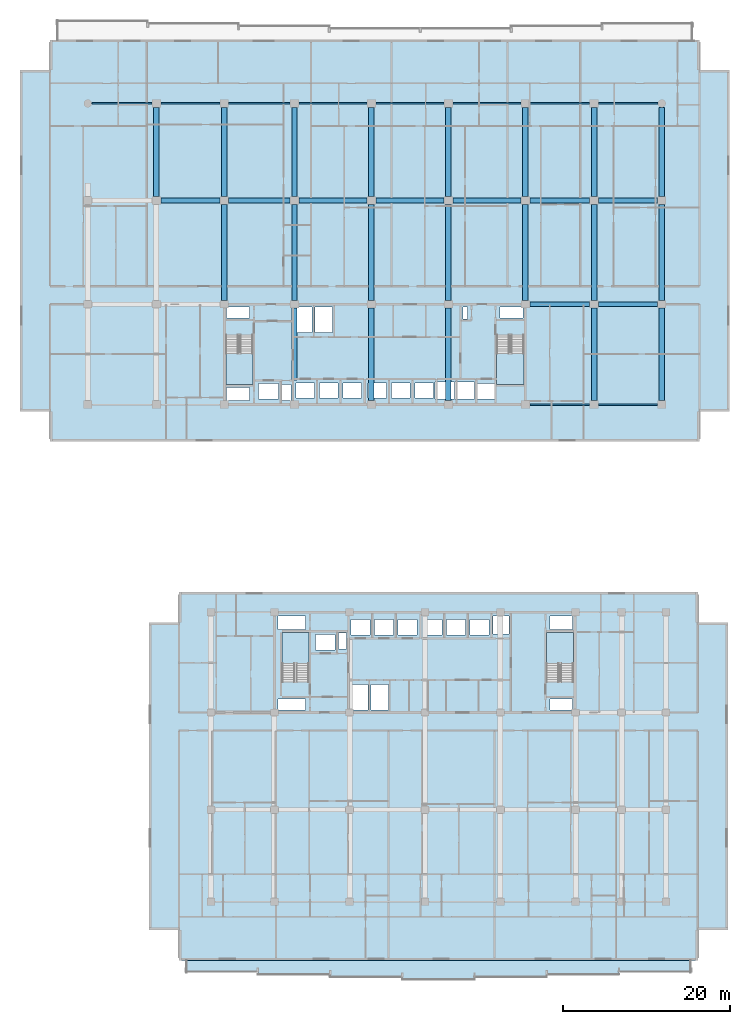
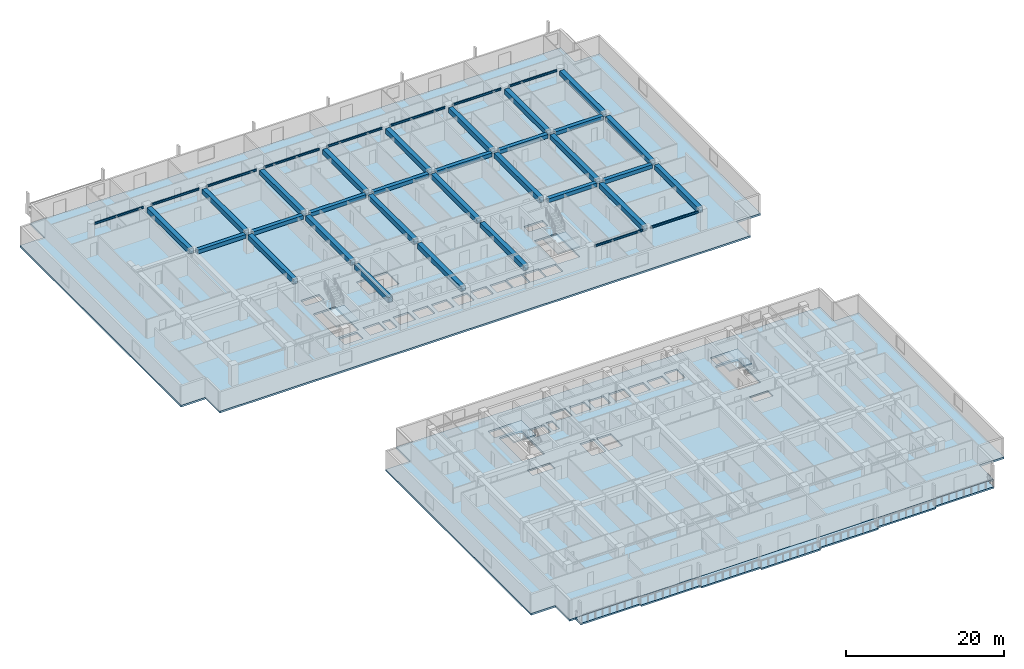
# One storey, part 2 of 24: 39 beams, 7 slabs, 4 elements without a shape of their own.
"""IFC4 building model written with IfcOpenShell, lengths in metres."""

import ifcopenshell
import ifcopenshell.guid

model = None  # the IFC model being written
_history = None  # IfcOwnerHistory: only IFC2X3 demands one
_inside = {}  # id of a spatial element -> (the spatial element, [elements in it])
_under = {}  # id of a project, library or spatial element -> (it, [spatial elements below it])
_declared = {}  # id of a project -> (the project, [libraries it declares])
_typed = {}  # id of a type object -> (the type object, [elements of that type])
_made_of = {}  # id of a material, layer set ... -> (it, [elements and type objects made of it])


def new_model(schema):
    """Start an empty IFC model of exactly this schema.

    Asked for "IFC4X3", IfcOpenShell would pick the latest addendum, in which some entities
    have other attributes; the version numbers below select the first issue.
    IFC2X3 requires an IfcOwnerHistory on every rooted entity: one is made here for all.
    """
    global model, _history
    if schema == "IFC4X3":
        model = ifcopenshell.file(schema_version=(4, 3, 0, 0))
    else:
        model = ifcopenshell.file(schema=schema)
    _inside.clear()
    _under.clear()
    _declared.clear()
    _typed.clear()
    _made_of.clear()
    _history = None
    if model.schema == "IFC2X3":
        org = make("IfcOrganization", Name="unknown")
        user = make(
            "IfcPersonAndOrganization",
            ThePerson=make("IfcPerson", FamilyName="unknown"),
            TheOrganization=org,
        )
        app = make(
            "IfcApplication",
            ApplicationDeveloper=org,
            Version="unknown",
            ApplicationFullName="unknown",
            ApplicationIdentifier="unknown",
        )
        _history = make(
            "IfcOwnerHistory",
            OwningUser=user,
            OwningApplication=app,
            ChangeAction="ADDED",
            CreationDate=0,
        )
    return model


def make(cls, **values):
    """One entity of the class cls with the attributes given. An attribute that is None is left unset."""
    return model.create_entity(
        cls, **{name: value for name, value in values.items() if value is not None}
    )


def rooted(cls, **values):
    """An entity with a GlobalId (a new one), such as an element, a storey or a relation."""
    return make(cls, GlobalId=ifcopenshell.guid.new(), OwnerHistory=_history, **values)


def si_unit(unit_type, name, prefix=None):
    """IfcSIUnit, for example si_unit("LENGTHUNIT", "METRE", prefix="MILLI")."""
    return make("IfcSIUnit", UnitType=unit_type, Prefix=prefix, Name=name)


def assignment(units):
    """IfcUnitAssignment: the units of a project."""
    return None if units is None else make("IfcUnitAssignment", Units=units)


def point(xyz):
    """IfcCartesianPoint."""
    return None if xyz is None else make("IfcCartesianPoint", Coordinates=xyz)


def direction(xyz):
    """IfcDirection."""
    return None if xyz is None else make("IfcDirection", DirectionRatios=xyz)


def frame(location, z_axis=None, x_axis=None):
    """IfcAxis2Placement3D, a coordinate frame: its origin and axes. An axis left out is left unset."""
    return make(
        "IfcAxis2Placement3D",
        Location=point(location),
        Axis=direction(z_axis),
        RefDirection=direction(x_axis),
    )


def frame_2d(location, x_axis=None):
    """IfcAxis2Placement2D, a coordinate frame in the plane: its origin and x axis."""
    return make(
        "IfcAxis2Placement2D", Location=point(location), RefDirection=direction(x_axis)
    )


def origin():
    """The frame at (0, 0, 0) with its axes left unset."""
    return frame((0.0, 0.0, 0.0))


def origin_2d():
    """The frame at (0, 0) in the plane with its x axis left unset."""
    return frame_2d((0.0, 0.0))


def place(relative_to, where):
    """IfcLocalPlacement: puts the frame where relative to a parent placement (None: the world)."""
    return make(
        "IfcLocalPlacement", PlacementRelTo=relative_to, RelativePlacement=where
    )


def context(
    kind, dimensions, precision=None, world=None, true_north=None, identifier=None
):
    """IfcGeometricRepresentationContext, for example the 3D "Model" context."""
    return make(
        "IfcGeometricRepresentationContext",
        ContextIdentifier=identifier,
        ContextType=kind,
        CoordinateSpaceDimension=dimensions,
        Precision=precision,
        WorldCoordinateSystem=world,
        TrueNorth=true_north,
    )


def subcontext(parent, identifier, kind, view, scale=None):
    """IfcGeometricRepresentationSubContext, for example "Body" below "Model"."""
    return make(
        "IfcGeometricRepresentationSubContext",
        ContextIdentifier=identifier,
        ContextType=kind,
        ParentContext=parent,
        TargetScale=scale,
        TargetView=view,
    )


def project(units=None, contexts=None):
    """IfcProject with its units and contexts."""
    return rooted(
        "IfcProject",
        Name="project",
        RepresentationContexts=contexts,
        UnitsInContext=assignment(units),
    )


def spatial(cls, under=None, at=None, **own):
    """A site, building, storey or space (cls), placed at a placement, below another one or the project."""
    s = rooted(cls, ObjectPlacement=at, **own)
    if under is not None:
        _under.setdefault(under.id(), (under, []))[1].append(s)
    return s


def polyline(points):
    """IfcPolyline through the points."""
    return make("IfcPolyline", Points=[point(p) for p in points])


def profile(cls, at=None, kind="AREA", **sizes):
    """A parametric profile (cls). Its sizes go by their IFC names, for example OverallWidth=200.0."""
    return make(cls, ProfileType=kind, Position=at, **sizes)


def rectangle(**sizes):
    """IfcRectangleProfileDef."""
    return profile("IfcRectangleProfileDef", **sizes)


def i_section(**sizes):
    """IfcIShapeProfileDef."""
    return profile("IfcIShapeProfileDef", **sizes)


def outline(outer, holes=None, kind="AREA"):
    """IfcArbitraryClosedProfileDef: a profile drawn as a closed curve; with holes, ...WithVoids."""
    if holes is None:
        return make("IfcArbitraryClosedProfileDef", ProfileType=kind, OuterCurve=outer)
    return make(
        "IfcArbitraryProfileDefWithVoids",
        ProfileType=kind,
        OuterCurve=outer,
        InnerCurves=holes,
    )


def extrude(swept, where, along, depth):
    """IfcExtrudedAreaSolid: the profile swept, set in the frame where, extruded along a direction by depth."""
    return make(
        "IfcExtrudedAreaSolid",
        SweptArea=swept,
        Position=where,
        ExtrudedDirection=direction(along),
        Depth=depth,
    )


def shape(context_of_items, identifier, shape_type, items):
    """IfcShapeRepresentation: the items that make up one representation, for example the "Body"."""
    return make(
        "IfcShapeRepresentation",
        ContextOfItems=context_of_items,
        RepresentationIdentifier=identifier,
        RepresentationType=shape_type,
        Items=items,
    )


def material(Name=None, Category=None):
    """IfcMaterial."""
    return make("IfcMaterial", Name=Name, Category=Category)


def layer(
    of_material, thickness, ventilated=None, Name=None, Category=None, Priority=None
):
    """IfcMaterialLayer: one layer of a wall or slab, of a material (None: an air gap)."""
    return make(
        "IfcMaterialLayer",
        Material=of_material,
        LayerThickness=thickness,
        IsVentilated=ventilated,
        Name=Name,
        Category=Category,
        Priority=Priority,
    )


def layer_set(layers, Name=None):
    """IfcMaterialLayerSet."""
    return make("IfcMaterialLayerSet", MaterialLayers=layers, LayerSetName=Name)


def material_profile(
    of_material, cross_section, Name=None, Category=None, Priority=None
):
    """IfcMaterialProfile: a cross section and its material."""
    return make(
        "IfcMaterialProfile",
        Name=Name,
        Material=of_material,
        Profile=cross_section,
        Priority=Priority,
        Category=Category,
    )


def profile_set(profiles, Name=None, composite=None):
    """IfcMaterialProfileSet."""
    return make(
        "IfcMaterialProfileSet",
        Name=Name,
        MaterialProfiles=profiles,
        CompositeProfile=composite,
    )


def made_of(thing, what):
    """Note that an element or type object is made of a material, layer set ...; save() writes the relation."""
    if what is not None:
        _made_of.setdefault(what.id(), (what, []))[1].append(thing)
    return thing


def type_object(cls, material=None, **own):
    """A type object (cls), such as IfcWallType, which elements share."""
    return made_of(rooted(cls, **own), material)


def element(
    cls,
    number,
    at=None,
    inside=None,
    cuts=None,
    type_object=None,
    material=None,
    context=None,
    identifier="Body",
    shape_type=None,
    held_by="IfcProductDefinitionShape",
    body=None,
    shapes=None,
    **own,
):
    """One element of the class cls, such as IfcWall. Its Tag is "e" and its number.

    at: its placement. inside: the storey or other place that contains it. cuts: it is an
    opening in that element (IfcRelVoidsElement). A single representation is given by context,
    identifier, shape_type and body (its items); several are given by shapes. held_by: the class
    of the entity that holds the representations. save() writes the other relations.
    """
    e = rooted(cls, Tag="e%d" % number, ObjectPlacement=at, **own)
    if body is not None:
        shapes = [shape(context, identifier, shape_type, body)]
    if shapes is not None:
        e.Representation = make(held_by, Representations=shapes)
    if inside is not None:
        _inside.setdefault(inside.id(), (inside, []))[1].append(e)
    if cuts is not None:
        rooted(
            "IfcRelVoidsElement", RelatingBuildingElement=cuts, RelatedOpeningElement=e
        )
    if type_object is not None:
        _typed.setdefault(type_object.id(), (type_object, []))[1].append(e)
    return made_of(e, material)


def aggregate(whole, parts):
    """IfcRelAggregates: a whole, such as a stair, and the parts it consists of."""
    return rooted("IfcRelAggregates", RelatingObject=whole, RelatedObjects=parts)


def save(model, path):
    """Write the relations noted so far, then the file.

    IfcRelAggregates (storeys below a building ...), IfcRelContainedInSpatialStructure (elements
    in a storey), IfcRelDefinesByType, IfcRelAssociatesMaterial and IfcRelDeclares: one each for
    every whole, place, type object, material and project.
    """
    for whole, parts in _under.values():
        aggregate(whole, parts)
    for where, things in _inside.values():
        rooted(
            "IfcRelContainedInSpatialStructure",
            RelatedElements=things,
            RelatingStructure=where,
        )
    for kind, things in _typed.values():
        rooted("IfcRelDefinesByType", RelatedObjects=things, RelatingType=kind)
    for what, things in _made_of.values():
        rooted("IfcRelAssociatesMaterial", RelatedObjects=things, RelatingMaterial=what)
    for by, libraries in _declared.values():
        rooted("IfcRelDeclares", RelatingContext=by, RelatedDefinitions=libraries)
    model.write(path)


model = new_model("IFC4")

# Units and contexts
model_context = context("Model", 3, precision=1e-05, world=origin(), true_north=direction((0.0, 1.0)))
body_context = subcontext(model_context, "Body", "Model", "MODEL_VIEW")
ifc_project = project(units=[si_unit("LENGTHUNIT", "METRE"), si_unit("AREAUNIT", "SQUARE_METRE"), si_unit("VOLUMEUNIT", "CUBIC_METRE"), si_unit("PLANEANGLEUNIT", "RADIAN"), si_unit("MASSUNIT", "GRAM", prefix="KILO")], contexts=[model_context])

# Site, building, storey
site_placement = place(None, origin())
site = spatial("IfcSite", under=ifc_project, at=site_placement, CompositionType="ELEMENT")
building_placement = place(site_placement, origin())
building = spatial("IfcBuilding", under=site, at=building_placement, Name="Korimba Cascade Residences", CompositionType="ELEMENT")
storey_placement = place(building_placement, frame((0.0, 0.0, 66.25)))
storey = spatial("IfcBuildingStorey", under=building, at=storey_placement, Name="L18", CompositionType="ELEMENT", Elevation=66.25)

# Beams
ifc_material_1 = material(Name="Concrete C50/60", Category="concrete")
ifc_material_profile_1 = material_profile(ifc_material_1, rectangle(XDim=0.550048828125, YDim=0.60009765625, at=origin_2d()), Name="Concrete C50/60")
ifc_profile_set_1 = profile_set([ifc_material_profile_1], Name="Concrete C50/60")
beam_type_1 = type_object("IfcBeamType", Name="BM-RC-B600", PredefinedType="BEAM", material=ifc_profile_set_1)
beam_1_placement = place(storey_placement, frame((112.625, 67.199951171875, 2.669921875), z_axis=(1.0, 0.0, 0.0), x_axis=(0.0, 1.0, 0.0)))
element("IfcBeam", 1, at=beam_1_placement, inside=storey, type_object=beam_type_1, Name="L18 T1 E-W Girder Y2 Bay 7", PredefinedType="BEAM", context=body_context, shape_type="SweptSolid", body=[
    extrude(rectangle(XDim=0.550048828125, YDim=0.60009765625, at=origin_2d()), origin(), (0.0, 0.0, 1.0), 7.14990234375),
])
for number, where, z_axis, x_axis, name in (
    (2, (120.824951171875, 67.199951171875, 2.669921875), (1.0, 0.0, 0.0), (0.0, 1.0, 0.0), "L18 T1 E-W Girder Y2 Bay 8"),
    (3, (68.52490234375, 79.60009765625, 2.669921875), (1.0, 0.0, 0.0), (0.0, 1.0, 0.0), "L18 T1 E-W Girder Y3 Bay 2"),
):
    element("IfcBeam", number, at=place(storey_placement, frame(where, z_axis=z_axis, x_axis=x_axis)), inside=storey, type_object=beam_type_1, Name=name, PredefinedType="BEAM", context=body_context, shape_type="SweptSolid", body=[
        extrude(rectangle(XDim=0.550048828125, YDim=0.60009765625, at=origin_2d()), origin(), (0.0, 0.0, 1.0), 7.050048828125),
    ])
beam_2_placement = place(storey_placement, frame((76.625, 79.60009765625, 2.669921875), z_axis=(1.0, 0.0, 0.0), x_axis=(0.0, 1.0, 0.0)))
element("IfcBeam", 4, at=beam_2_placement, inside=storey, type_object=beam_type_1, Name="L18 T1 E-W Girder Y3 Bay 3", PredefinedType="BEAM", context=body_context, shape_type="SweptSolid", body=[
    extrude(rectangle(XDim=0.550048828125, YDim=0.60009765625, at=origin_2d()), origin(), (0.0, 0.0, 1.0), 7.35009765625),
])
beam_3_placement = place(storey_placement, frame((85.02490234375, 79.60009765625, 2.669921875), z_axis=(1.0, 0.0, 0.0), x_axis=(0.0, 1.0, 0.0)))
element("IfcBeam", 5, at=beam_3_placement, inside=storey, type_object=beam_type_1, Name="L18 T1 E-W Girder Y3 Bay 4", PredefinedType="BEAM", context=body_context, shape_type="SweptSolid", body=[
    extrude(rectangle(XDim=0.550048828125, YDim=0.60009765625, at=origin_2d()), origin(), (0.0, 0.0, 1.0), 8.150146484375),
])
for number, where, z_axis, x_axis, name in (
    (6, (94.22509765625, 79.60009765625, 2.669921875), (1.0, 0.0, 0.0), (0.0, 1.0, 0.0), "L18 T1 E-W Girder Y3 Bay 5"),
    (7, (103.425048828125, 79.60009765625, 2.669921875), (1.0, 0.0, 0.0), (0.0, 1.0, 0.0), "L18 T1 E-W Girder Y3 Bay 6"),
):
    element("IfcBeam", number, at=place(storey_placement, frame(where, z_axis=z_axis, x_axis=x_axis)), inside=storey, type_object=beam_type_1, Name=name, PredefinedType="BEAM", context=body_context, shape_type="SweptSolid", body=[
        extrude(rectangle(XDim=0.550048828125, YDim=0.60009765625, at=origin_2d()), origin(), (0.0, 0.0, 1.0), 8.14990234375),
    ])
beam_4_placement = place(storey_placement, frame((112.625, 79.60009765625, 2.669921875), z_axis=(1.0, 0.0, 0.0), x_axis=(0.0, 1.0, 0.0)))
element("IfcBeam", 8, at=beam_4_placement, inside=storey, type_object=beam_type_1, Name="L18 T1 E-W Girder Y3 Bay 7", PredefinedType="BEAM", context=body_context, shape_type="SweptSolid", body=[
    extrude(rectangle(XDim=0.550048828125, YDim=0.60009765625, at=origin_2d()), origin(), (0.0, 0.0, 1.0), 7.14990234375),
])
beam_5_placement = place(storey_placement, frame((120.824951171875, 79.60009765625, 2.669921875), z_axis=(1.0, 0.0, 0.0), x_axis=(0.0, 1.0, 0.0)))
element("IfcBeam", 9, at=beam_5_placement, inside=storey, type_object=beam_type_1, Name="L18 T1 E-W Girder Y3 Bay 8", PredefinedType="BEAM", context=body_context, shape_type="SweptSolid", body=[
    extrude(rectangle(XDim=0.550048828125, YDim=0.60009765625, at=origin_2d()), origin(), (0.0, 0.0, 1.0), 7.050048828125),
])
ifc_material_profile_2 = material_profile(ifc_material_1, rectangle(XDim=0.64990234375, YDim=0.75, at=origin_2d()), Name="Concrete C50/60")
ifc_profile_set_2 = profile_set([ifc_material_profile_2], Name="Concrete C50/60")
beam_type_2 = type_object("IfcBeamType", Name="BM-RC-G750", PredefinedType="BEAM", material=ifc_profile_set_2)
beam_6_placement = place(storey_placement, frame((68.0, 80.074951171875, 2.594970703125), z_axis=(0.0, 1.0, 0.0), x_axis=(-1.0, 0.0, 0.0)))
element("IfcBeam", 10, at=beam_6_placement, inside=storey, type_object=beam_type_2, Name="L18 T1 N-S Girder X2 Seg 3", PredefinedType="BEAM", context=body_context, shape_type="SweptSolid", body=[
    extrude(rectangle(XDim=0.64990234375, YDim=0.75, at=origin_2d()), origin(), (0.0, 0.0, 1.0), 10.650146484375),
])
beam_7_placement = place(storey_placement, frame((76.10009765625, 67.675048828125, 2.594970703125), z_axis=(0.0, 1.0, 0.0), x_axis=(-1.0, 0.0, 0.0)))
element("IfcBeam", 11, at=beam_7_placement, inside=storey, type_object=beam_type_2, Name="L18 T1 N-S Girder X3 Seg 2", PredefinedType="BEAM", context=body_context, shape_type="SweptSolid", body=[
    extrude(rectangle(XDim=0.64990234375, YDim=0.75, at=origin_2d()), origin(), (0.0, 0.0, 1.0), 11.449951171875),
])
beam_8_placement = place(storey_placement, frame((76.10009765625, 80.074951171875, 2.594970703125), z_axis=(0.0, 1.0, 0.0), x_axis=(-1.0, 0.0, 0.0)))
element("IfcBeam", 12, at=beam_8_placement, inside=storey, type_object=beam_type_2, Name="L18 T1 N-S Girder X3 Seg 3", PredefinedType="BEAM", context=body_context, shape_type="SweptSolid", body=[
    extrude(rectangle(XDim=0.64990234375, YDim=0.75, at=origin_2d()), origin(), (0.0, 0.0, 1.0), 10.650146484375),
])
beam_9_placement = place(storey_placement, frame((84.5, 58.159912109375, 2.594970703125), z_axis=(0.0, 1.0, 0.0), x_axis=(-1.0, 0.0, 0.0)))
element("IfcBeam", 13, at=beam_9_placement, inside=storey, type_object=beam_type_2, Name="L18 T1 N-S Girder X4 Seg 1", PredefinedType="BEAM", context=body_context, shape_type="SweptSolid", body=[
    extrude(rectangle(XDim=0.64990234375, YDim=0.75, at=origin_2d()), origin(), (0.0, 0.0, 1.0), 8.565185546875),
])
beam_10_placement = place(storey_placement, frame((84.5, 67.675048828125, 2.594970703125), z_axis=(0.0, 1.0, 0.0), x_axis=(-1.0, 0.0, 0.0)))
element("IfcBeam", 14, at=beam_10_placement, inside=storey, type_object=beam_type_2, Name="L18 T1 N-S Girder X4 Seg 2", PredefinedType="BEAM", context=body_context, shape_type="SweptSolid", body=[
    extrude(rectangle(XDim=0.64990234375, YDim=0.75, at=origin_2d()), origin(), (0.0, 0.0, 1.0), 11.449951171875),
])
beam_11_placement = place(storey_placement, frame((84.5, 80.074951171875, 2.594970703125), z_axis=(0.0, 1.0, 0.0), x_axis=(-1.0, 0.0, 0.0)))
element("IfcBeam", 15, at=beam_11_placement, inside=storey, type_object=beam_type_2, Name="L18 T1 N-S Girder X4 Seg 3", PredefinedType="BEAM", context=body_context, shape_type="SweptSolid", body=[
    extrude(rectangle(XDim=0.64990234375, YDim=0.75, at=origin_2d()), origin(), (0.0, 0.0, 1.0), 10.650146484375),
])
beam_12_placement = place(storey_placement, frame((93.699951171875, 55.675048828125, 2.594970703125), z_axis=(0.0, 1.0, 0.0), x_axis=(-1.0, 0.0, 0.0)))
element("IfcBeam", 16, at=beam_12_placement, inside=storey, type_object=beam_type_2, Name="L18 T1 N-S Girder X5 Seg 1", PredefinedType="BEAM", context=body_context, shape_type="SweptSolid", body=[
    extrude(rectangle(XDim=0.64990234375, YDim=0.75, at=origin_2d()), origin(), (0.0, 0.0, 1.0), 11.050048828125),
])
beam_13_placement = place(storey_placement, frame((93.699951171875, 67.675048828125, 2.594970703125), z_axis=(0.0, 1.0, 0.0), x_axis=(-1.0, 0.0, 0.0)))
element("IfcBeam", 17, at=beam_13_placement, inside=storey, type_object=beam_type_2, Name="L18 T1 N-S Girder X5 Seg 2", PredefinedType="BEAM", context=body_context, shape_type="SweptSolid", body=[
    extrude(rectangle(XDim=0.64990234375, YDim=0.75, at=origin_2d()), origin(), (0.0, 0.0, 1.0), 11.449951171875),
])
beam_14_placement = place(storey_placement, frame((93.699951171875, 80.074951171875, 2.594970703125), z_axis=(0.0, 1.0, 0.0), x_axis=(-1.0, 0.0, 0.0)))
element("IfcBeam", 18, at=beam_14_placement, inside=storey, type_object=beam_type_2, Name="L18 T1 N-S Girder X5 Seg 3", PredefinedType="BEAM", context=body_context, shape_type="SweptSolid", body=[
    extrude(rectangle(XDim=0.64990234375, YDim=0.75, at=origin_2d()), origin(), (0.0, 0.0, 1.0), 10.650146484375),
])
beam_15_placement = place(storey_placement, frame((102.89990234375, 55.675048828125, 2.594970703125), z_axis=(0.0, 1.0, 0.0), x_axis=(-1.0, 0.0, 0.0)))
element("IfcBeam", 19, at=beam_15_placement, inside=storey, type_object=beam_type_2, Name="L18 T1 N-S Girder X6 Seg 1", PredefinedType="BEAM", context=body_context, shape_type="SweptSolid", body=[
    extrude(rectangle(XDim=0.64990234375, YDim=0.75, at=origin_2d()), origin(), (0.0, 0.0, 1.0), 11.050048828125),
])
beam_16_placement = place(storey_placement, frame((102.89990234375, 67.675048828125, 2.594970703125), z_axis=(0.0, 1.0, 0.0), x_axis=(-1.0, 0.0, 0.0)))
element("IfcBeam", 20, at=beam_16_placement, inside=storey, type_object=beam_type_2, Name="L18 T1 N-S Girder X6 Seg 2", PredefinedType="BEAM", context=body_context, shape_type="SweptSolid", body=[
    extrude(rectangle(XDim=0.64990234375, YDim=0.75, at=origin_2d()), origin(), (0.0, 0.0, 1.0), 11.449951171875),
])
beam_17_placement = place(storey_placement, frame((102.89990234375, 80.074951171875, 2.594970703125), z_axis=(0.0, 1.0, 0.0), x_axis=(-1.0, 0.0, 0.0)))
element("IfcBeam", 21, at=beam_17_placement, inside=storey, type_object=beam_type_2, Name="L18 T1 N-S Girder X6 Seg 3", PredefinedType="BEAM", context=body_context, shape_type="SweptSolid", body=[
    extrude(rectangle(XDim=0.64990234375, YDim=0.75, at=origin_2d()), origin(), (0.0, 0.0, 1.0), 10.650146484375),
])
beam_18_placement = place(storey_placement, frame((112.10009765625, 67.675048828125, 2.594970703125), z_axis=(0.0, 1.0, 0.0), x_axis=(-1.0, 0.0, 0.0)))
element("IfcBeam", 22, at=beam_18_placement, inside=storey, type_object=beam_type_2, Name="L18 T1 N-S Girder X7 Seg 2", PredefinedType="BEAM", context=body_context, shape_type="SweptSolid", body=[
    extrude(rectangle(XDim=0.64990234375, YDim=0.75, at=origin_2d()), origin(), (0.0, 0.0, 1.0), 11.449951171875),
])
beam_19_placement = place(storey_placement, frame((112.10009765625, 80.074951171875, 2.594970703125), z_axis=(0.0, 1.0, 0.0), x_axis=(-1.0, 0.0, 0.0)))
element("IfcBeam", 23, at=beam_19_placement, inside=storey, type_object=beam_type_2, Name="L18 T1 N-S Girder X7 Seg 3", PredefinedType="BEAM", context=body_context, shape_type="SweptSolid", body=[
    extrude(rectangle(XDim=0.64990234375, YDim=0.75, at=origin_2d()), origin(), (0.0, 0.0, 1.0), 10.650146484375),
])
beam_20_placement = place(storey_placement, frame((120.300048828125, 55.675048828125, 2.594970703125), z_axis=(0.0, 1.0, 0.0), x_axis=(-1.0, 0.0, 0.0)))
element("IfcBeam", 24, at=beam_20_placement, inside=storey, type_object=beam_type_2, Name="L18 T1 N-S Girder X8 Seg 1", PredefinedType="BEAM", context=body_context, shape_type="SweptSolid", body=[
    extrude(rectangle(XDim=0.64990234375, YDim=0.75, at=origin_2d()), origin(), (0.0, 0.0, 1.0), 11.050048828125),
])
beam_21_placement = place(storey_placement, frame((120.300048828125, 67.675048828125, 2.594970703125), z_axis=(0.0, 1.0, 0.0), x_axis=(-1.0, 0.0, 0.0)))
element("IfcBeam", 25, at=beam_21_placement, inside=storey, type_object=beam_type_2, Name="L18 T1 N-S Girder X8 Seg 2", PredefinedType="BEAM", context=body_context, shape_type="SweptSolid", body=[
    extrude(rectangle(XDim=0.64990234375, YDim=0.75, at=origin_2d()), origin(), (0.0, 0.0, 1.0), 11.449951171875),
])
beam_22_placement = place(storey_placement, frame((120.300048828125, 80.074951171875, 2.594970703125), z_axis=(0.0, 1.0, 0.0), x_axis=(-1.0, 0.0, 0.0)))
element("IfcBeam", 26, at=beam_22_placement, inside=storey, type_object=beam_type_2, Name="L18 T1 N-S Girder X8 Seg 3", PredefinedType="BEAM", context=body_context, shape_type="SweptSolid", body=[
    extrude(rectangle(XDim=0.64990234375, YDim=0.75, at=origin_2d()), origin(), (0.0, 0.0, 1.0), 10.650146484375),
])
beam_23_placement = place(storey_placement, frame((128.39990234375, 55.675048828125, 2.594970703125), z_axis=(0.0, 1.0, 0.0), x_axis=(-1.0, 0.0, 0.0)))
element("IfcBeam", 27, at=beam_23_placement, inside=storey, type_object=beam_type_2, Name="L18 T1 N-S Girder X9 Seg 1", PredefinedType="BEAM", context=body_context, shape_type="SweptSolid", body=[
    extrude(rectangle(XDim=0.64990234375, YDim=0.75, at=origin_2d()), origin(), (0.0, 0.0, 1.0), 11.050048828125),
])
beam_24_placement = place(storey_placement, frame((128.39990234375, 67.675048828125, 2.594970703125), z_axis=(0.0, 1.0, 0.0), x_axis=(-1.0, 0.0, 0.0)))
element("IfcBeam", 28, at=beam_24_placement, inside=storey, type_object=beam_type_2, Name="L18 T1 N-S Girder X9 Seg 2", PredefinedType="BEAM", context=body_context, shape_type="SweptSolid", body=[
    extrude(rectangle(XDim=0.64990234375, YDim=0.75, at=origin_2d()), origin(), (0.0, 0.0, 1.0), 11.449951171875),
])
beam_25_placement = place(storey_placement, frame((128.39990234375, 80.074951171875, 2.594970703125), z_axis=(0.0, 1.0, 0.0), x_axis=(-1.0, 0.0, 0.0)))
element("IfcBeam", 29, at=beam_25_placement, inside=storey, type_object=beam_type_2, Name="L18 T1 N-S Girder X9 Seg 3", PredefinedType="BEAM", context=body_context, shape_type="SweptSolid", body=[
    extrude(rectangle(XDim=0.64990234375, YDim=0.75, at=origin_2d()), origin(), (0.0, 0.0, 1.0), 10.650146484375),
])
ifc_material_2 = material(Name="Steel S355", Category="steel")
ifc_material_profile_3 = material_profile(ifc_material_2, i_section(OverallWidth=0.165771484375, OverallDepth=0.306640625, WebThickness=0.006591796875, FlangeThickness=0.01171875, FilletRadius=0.0087890625, at=origin_2d()), Name="Steel S355")
ifc_profile_set_3 = profile_set([ifc_material_profile_3], Name="Steel S355")
beam_type_3 = type_object("IfcBeamType", Name="BM-STL-UB305", PredefinedType="SPANDREL", material=ifc_profile_set_3)
beam_26_placement = place(storey_placement, frame((112.625, 55.199951171875, 2.816650390625), z_axis=(1.0, 0.0, 0.0), x_axis=(0.0, 1.0, 0.0)))
element("IfcBeam", 30, at=beam_26_placement, inside=storey, type_object=beam_type_3, Name="L18 T1 E-W Girder Y1 Bay 7", PredefinedType="SPANDREL", context=body_context, shape_type="SweptSolid", body=[
    extrude(i_section(OverallWidth=0.165771484375, OverallDepth=0.306640625, WebThickness=0.006591796875, FlangeThickness=0.01171875, FilletRadius=0.0087890625, at=origin_2d()), origin(), (0.0, 0.0, 1.0), 7.14990234375),
])
beam_27_placement = place(storey_placement, frame((120.824951171875, 55.199951171875, 2.816650390625), z_axis=(1.0, 0.0, 0.0), x_axis=(0.0, 1.0, 0.0)))
element("IfcBeam", 31, at=beam_27_placement, inside=storey, type_object=beam_type_3, Name="L18 T1 E-W Girder Y1 Bay 8", PredefinedType="SPANDREL", context=body_context, shape_type="SweptSolid", body=[
    extrude(i_section(OverallWidth=0.165771484375, OverallDepth=0.306640625, WebThickness=0.006591796875, FlangeThickness=0.01171875, FilletRadius=0.0087890625, at=origin_2d()), origin(), (0.0, 0.0, 1.0), 7.050048828125),
])
beam_28_placement = place(storey_placement, frame((60.27490234375, 91.199951171875, 2.816650390625), z_axis=(1.0, 0.0, 0.0), x_axis=(0.0, 1.0, 0.0)))
element("IfcBeam", 32, at=beam_28_placement, inside=storey, type_object=beam_type_3, Name="L18 T1 E-W Girder Y4 Bay 1", PredefinedType="SPANDREL", context=body_context, shape_type="SweptSolid", body=[
    extrude(i_section(OverallWidth=0.165771484375, OverallDepth=0.306640625, WebThickness=0.006591796875, FlangeThickness=0.01171875, FilletRadius=0.0087890625, at=origin_2d()), origin(), (0.0, 0.0, 1.0), 7.2001953125),
])
beam_29_placement = place(storey_placement, frame((68.52490234375, 91.199951171875, 2.816650390625), z_axis=(1.0, 0.0, 0.0), x_axis=(0.0, 1.0, 0.0)))
element("IfcBeam", 33, at=beam_29_placement, inside=storey, type_object=beam_type_3, Name="L18 T1 E-W Girder Y4 Bay 2", PredefinedType="SPANDREL", context=body_context, shape_type="SweptSolid", body=[
    extrude(i_section(OverallWidth=0.165771484375, OverallDepth=0.306640625, WebThickness=0.006591796875, FlangeThickness=0.01171875, FilletRadius=0.0087890625, at=origin_2d()), origin(), (0.0, 0.0, 1.0), 7.050048828125),
])
beam_30_placement = place(storey_placement, frame((76.625, 91.199951171875, 2.816650390625), z_axis=(1.0, 0.0, 0.0), x_axis=(0.0, 1.0, 0.0)))
element("IfcBeam", 34, at=beam_30_placement, inside=storey, type_object=beam_type_3, Name="L18 T1 E-W Girder Y4 Bay 3", PredefinedType="SPANDREL", context=body_context, shape_type="SweptSolid", body=[
    extrude(i_section(OverallWidth=0.165771484375, OverallDepth=0.306640625, WebThickness=0.006591796875, FlangeThickness=0.01171875, FilletRadius=0.0087890625, at=origin_2d()), origin(), (0.0, 0.0, 1.0), 7.35009765625),
])
beam_31_placement = place(storey_placement, frame((85.02490234375, 91.199951171875, 2.816650390625), z_axis=(1.0, 0.0, 0.0), x_axis=(0.0, 1.0, 0.0)))
element("IfcBeam", 35, at=beam_31_placement, inside=storey, type_object=beam_type_3, Name="L18 T1 E-W Girder Y4 Bay 4", PredefinedType="SPANDREL", context=body_context, shape_type="SweptSolid", body=[
    extrude(i_section(OverallWidth=0.165771484375, OverallDepth=0.306640625, WebThickness=0.006591796875, FlangeThickness=0.01171875, FilletRadius=0.0087890625, at=origin_2d()), origin(), (0.0, 0.0, 1.0), 8.150146484375),
])
for number, where, z_axis, x_axis, name in (
    (36, (94.22509765625, 91.199951171875, 2.816650390625), (1.0, 0.0, 0.0), (0.0, 1.0, 0.0), "L18 T1 E-W Girder Y4 Bay 5"),
    (37, (103.425048828125, 91.199951171875, 2.816650390625), (1.0, 0.0, 0.0), (0.0, 1.0, 0.0), "L18 T1 E-W Girder Y4 Bay 6"),
):
    element("IfcBeam", number, at=place(storey_placement, frame(where, z_axis=z_axis, x_axis=x_axis)), inside=storey, type_object=beam_type_3, Name=name, PredefinedType="SPANDREL", context=body_context, shape_type="SweptSolid", body=[
        extrude(i_section(OverallWidth=0.165771484375, OverallDepth=0.306640625, WebThickness=0.006591796875, FlangeThickness=0.01171875, FilletRadius=0.0087890625, at=origin_2d()), origin(), (0.0, 0.0, 1.0), 8.14990234375),
    ])
beam_32_placement = place(storey_placement, frame((112.625, 91.199951171875, 2.816650390625), z_axis=(1.0, 0.0, 0.0), x_axis=(0.0, 1.0, 0.0)))
element("IfcBeam", 38, at=beam_32_placement, inside=storey, type_object=beam_type_3, Name="L18 T1 E-W Girder Y4 Bay 7", PredefinedType="SPANDREL", context=body_context, shape_type="SweptSolid", body=[
    extrude(i_section(OverallWidth=0.165771484375, OverallDepth=0.306640625, WebThickness=0.006591796875, FlangeThickness=0.01171875, FilletRadius=0.0087890625, at=origin_2d()), origin(), (0.0, 0.0, 1.0), 7.14990234375),
])
beam_33_placement = place(storey_placement, frame((120.824951171875, 91.199951171875, 2.816650390625), z_axis=(1.0, 0.0, 0.0), x_axis=(0.0, 1.0, 0.0)))
element("IfcBeam", 39, at=beam_33_placement, inside=storey, type_object=beam_type_3, Name="L18 T1 E-W Girder Y4 Bay 8", PredefinedType="SPANDREL", context=body_context, shape_type="SweptSolid", body=[
    extrude(i_section(OverallWidth=0.165771484375, OverallDepth=0.306640625, WebThickness=0.006591796875, FlangeThickness=0.01171875, FilletRadius=0.0087890625, at=origin_2d()), origin(), (0.0, 0.0, 1.0), 7.10009765625),
])

# Stair, slab
stair_type_1 = type_object("IfcStairType", Name="STR-W1-18R-1806", PredefinedType="HALF_TURN_STAIR", material=ifc_material_1)
stair_1_placement = place(storey_placement, origin())
stair_1 = element("IfcStair", 40, at=stair_1_placement, inside=storey, type_object=stair_type_1, Name="L18 Tower 1 West Fire Stair ST-W1", PredefinedType="HALF_TURN_STAIR")
ifc_layer_1 = layer(ifc_material_1, 0.199951171875)
ifc_layer_set_1 = layer_set([ifc_layer_1], Name="Concrete C50/60")
slab_type_1 = type_object("IfcSlabType", Name="SLB-LND-220", PredefinedType="LANDING", material=ifc_layer_set_1)
slab_1_placement = place(storey_placement, frame((0.0, 0.0, 1.425048828125)))
slab_1 = element("IfcSlab", 41, at=slab_1_placement, type_object=slab_type_1, Name="ST-W1 landing 1", PredefinedType="LANDING", context=body_context, shape_type="SweptSolid", body=[
    extrude(outline(polyline([(76.300048828125, 61.31005859375), (76.300048828125, 57.60009765625), (79.5400390625, 57.60009765625), (79.5400390625, 61.31005859375), (76.300048828125, 61.31005859375)])), origin(), (0.0, 0.0, 1.0), 0.199951171875),
])
aggregate(stair_1, [slab_1])

stair_type_2 = type_object("IfcStairType", Name="STR-W2-18R-1806", PredefinedType="HALF_TURN_STAIR", material=ifc_material_1)
stair_2_placement = place(storey_placement, origin())
stair_2 = element("IfcStair", 42, at=stair_2_placement, inside=storey, type_object=stair_type_2, Name="L18 Tower 1 East Fire Stair ST-W2", PredefinedType="HALF_TURN_STAIR")
slab_2_placement = place(storey_placement, frame((0.0, 0.0, 1.425048828125)))
slab_2 = element("IfcSlab", 43, at=slab_2_placement, type_object=slab_type_1, Name="ST-W2 landing 1", PredefinedType="LANDING", context=body_context, shape_type="SweptSolid", body=[
    extrude(outline(polyline([(108.659912109375, 61.31005859375), (108.659912109375, 57.60009765625), (111.89990234375, 57.60009765625), (111.89990234375, 61.31005859375), (108.659912109375, 61.31005859375)])), origin(), (0.0, 0.0, 1.0), 0.199951171875),
])
aggregate(stair_2, [slab_2])

stair_type_3 = type_object("IfcStairType", Name="STR-E1-18R-1806", PredefinedType="HALF_TURN_STAIR", material=ifc_material_1)
stair_3_placement = place(storey_placement, origin())
stair_3 = element("IfcStair", 44, at=stair_3_placement, inside=storey, type_object=stair_type_3, Name="L18 Tower 2 West Fire Stair ST-E1", PredefinedType="HALF_TURN_STAIR")
slab_3_placement = place(storey_placement, frame((0.0, 0.0, 1.425048828125)))
slab_3 = element("IfcSlab", 45, at=slab_3_placement, type_object=slab_type_1, Name="ST-E1 landing 1", PredefinedType="LANDING", context=body_context, shape_type="SweptSolid", body=[
    extrude(outline(polyline([(86.239990234375, 24.2900390625), (86.239990234375, 28.0), (83.0, 28.0), (83.0, 24.2900390625), (86.239990234375, 24.2900390625)])), origin(), (0.0, 0.0, 1.0), 0.199951171875),
])
aggregate(stair_3, [slab_3])

stair_type_4 = type_object("IfcStairType", Name="STR-E2-18R-1806", PredefinedType="HALF_TURN_STAIR", material=ifc_material_1)
stair_4_placement = place(storey_placement, origin())
stair_4 = element("IfcStair", 46, at=stair_4_placement, inside=storey, type_object=stair_type_4, Name="L18 Tower 2 East Fire Stair ST-E2", PredefinedType="HALF_TURN_STAIR")
slab_4_placement = place(storey_placement, frame((0.0, 0.0, 1.425048828125)))
slab_4 = element("IfcSlab", 47, at=slab_4_placement, type_object=slab_type_1, Name="ST-E2 landing 1", PredefinedType="LANDING", context=body_context, shape_type="SweptSolid", body=[
    extrude(outline(polyline([(117.840087890625, 24.2900390625), (117.840087890625, 28.0), (114.60009765625, 28.0), (114.60009765625, 24.2900390625), (117.840087890625, 24.2900390625)])), origin(), (0.0, 0.0, 1.0), 0.199951171875),
])
aggregate(stair_4, [slab_4])

# Slabs
ifc_material_3 = material(Name="Precast concrete C40/50", Category="concrete")
ifc_layer_2 = layer(ifc_material_3, 0.239990234375)
ifc_layer_set_2 = layer_set([ifc_layer_2], Name="Precast concrete C40/50")
slab_type_2 = type_object("IfcSlabType", Name="SLB-LOG-240", PredefinedType="FLOOR", material=ifc_layer_set_2)
slab_5_placement = place(storey_placement, frame((0.0, 0.0, -0.239990234375)))
element("IfcSlab", 48, at=slab_5_placement, inside=storey, type_object=slab_type_2, Name="L18 Tower 2 South Loggia Slab", PredefinedType="FLOOR", context=body_context, shape_type="SweptSolid", body=[
    extrude(outline(polyline([(71.5, -12.64990234375), (80.128662109375, -12.64990234375), (80.128662109375, -12.949951171875), (88.757080078125, -12.949951171875), (88.757080078125, -13.25), (97.3857421875, -13.25), (97.3857421875, -13.550048828125), (106.014404296875, -13.550048828125), (106.014404296875, -13.25), (114.642822265625, -13.25), (114.642822265625, -12.949951171875), (123.271484375, -12.949951171875), (123.271484375, -12.64990234375), (131.89990234375, -12.64990234375), (131.89990234375, -11.199951171875), (71.5, -11.199951171875), (71.5, -12.64990234375)])), origin(), (0.0, 0.0, 1.0), 0.239990234375),
])
ifc_layer_3 = layer(ifc_material_1, 0.280029296875)
ifc_layer_set_3 = layer_set([ifc_layer_3], Name="Concrete C50/60")
slab_type_3 = type_object("IfcSlabType", Name="SLB-TYP-280", PredefinedType="FLOOR", material=ifc_layer_set_3)
slab_6_placement = place(storey_placement, frame((0.0, 0.0, -0.280029296875)))
element("IfcSlab", 49, at=slab_6_placement, inside=storey, type_object=slab_type_3, Name="L18 Tower 1 Floor Slab", PredefinedType="FLOOR", context=body_context, shape_type="SweptSolid", body=[
    extrude(outline(polyline([(55.300048828125, 50.800048828125), (132.89990234375, 50.800048828125), (132.89990234375, 54.39990234375), (136.5, 54.39990234375), (136.5, 95.199951171875), (132.89990234375, 95.199951171875), (132.89990234375, 98.800048828125), (55.300048828125, 98.800048828125), (55.300048828125, 95.199951171875), (51.699951171875, 95.199951171875), (51.699951171875, 54.39990234375), (55.300048828125, 54.39990234375), (55.300048828125, 50.800048828125)]), holes=[polyline([(76.300048828125, 63.514892578125), (76.300048828125, 57.60009765625), (79.5400390625, 57.60009765625), (79.5400390625, 63.514892578125), (76.300048828125, 63.514892578125)]), polyline([(108.659912109375, 63.514892578125), (108.659912109375, 57.60009765625), (111.89990234375, 57.60009765625), (111.89990234375, 63.514892578125), (108.659912109375, 63.514892578125)]), polyline([(80.22998046875, 55.8798828125), (82.570068359375, 55.8798828125), (82.570068359375, 57.719970703125), (80.22998046875, 57.719970703125), (80.22998046875, 55.8798828125)]), polyline([(106.080078125, 55.8798828125), (108.419921875, 55.8798828125), (108.419921875, 57.719970703125), (106.080078125, 57.719970703125), (106.080078125, 55.8798828125)]), polyline([(84.679931640625, 55.97998046875), (86.919921875, 55.97998046875), (86.919921875, 57.820068359375), (84.679931640625, 57.820068359375), (84.679931640625, 55.97998046875)]), polyline([(87.47998046875, 55.97998046875), (89.719970703125, 55.97998046875), (89.719970703125, 57.820068359375), (87.47998046875, 57.820068359375), (87.47998046875, 55.97998046875)]), polyline([(90.280029296875, 55.97998046875), (92.52001953125, 55.97998046875), (92.52001953125, 57.820068359375), (90.280029296875, 57.820068359375), (90.280029296875, 55.97998046875)]), polyline([(93.280029296875, 55.97998046875), (95.52001953125, 55.97998046875), (95.52001953125, 57.820068359375), (93.280029296875, 57.820068359375), (93.280029296875, 55.97998046875)]), polyline([(96.080078125, 55.97998046875), (98.320068359375, 55.97998046875), (98.320068359375, 57.820068359375), (96.080078125, 57.820068359375), (96.080078125, 55.97998046875)]), polyline([(98.8798828125, 55.97998046875), (101.1201171875, 55.97998046875), (101.1201171875, 57.820068359375), (98.8798828125, 57.820068359375), (98.8798828125, 55.97998046875)]), polyline([(101.304931640625, 55.8798828125), (103.594970703125, 55.8798828125), (103.594970703125, 57.919921875), (101.304931640625, 57.919921875), (101.304931640625, 55.8798828125)]), polyline([(103.705078125, 55.8798828125), (105.9951171875, 55.8798828125), (105.9951171875, 57.919921875), (103.705078125, 57.919921875), (103.705078125, 55.8798828125)]), polyline([(82.97998046875, 55.679931640625), (84.080078125, 55.679931640625), (84.080078125, 57.6201171875), (82.97998046875, 57.6201171875), (82.97998046875, 55.679931640625)]), polyline([(76.39990234375, 65.56005859375), (79.10009765625, 65.56005859375), (79.10009765625, 66.8798828125), (76.39990234375, 66.8798828125), (76.39990234375, 65.56005859375)]), polyline([(76.39990234375, 55.679931640625), (79.10009765625, 55.679931640625), (79.10009765625, 57.239990234375), (76.39990234375, 57.239990234375), (76.39990234375, 55.679931640625)]), polyline([(84.530029296875, 63.820068359375), (86.6201171875, 63.820068359375), (86.6201171875, 66.8798828125), (84.530029296875, 66.8798828125), (84.530029296875, 63.820068359375)]), polyline([(86.97998046875, 63.820068359375), (89.070068359375, 63.820068359375), (89.070068359375, 66.8798828125), (86.97998046875, 66.8798828125), (86.97998046875, 63.820068359375)]), polyline([(104.6201171875, 65.4599609375), (105.179931640625, 65.4599609375), (105.179931640625, 66.8798828125), (104.6201171875, 66.8798828125), (104.6201171875, 65.4599609375)]), polyline([(109.080078125, 65.56005859375), (111.800048828125, 65.56005859375), (111.800048828125, 66.8798828125), (109.080078125, 66.8798828125), (109.080078125, 65.56005859375)])]), origin(), (0.0, 0.0, 1.0), 0.280029296875),
])
slab_7_placement = place(storey_placement, frame((0.0, 0.0, -0.280029296875)))
element("IfcSlab", 50, at=slab_7_placement, inside=storey, type_object=slab_type_3, Name="L18 Tower 2 Floor Slab", PredefinedType="FLOOR", context=body_context, shape_type="SweptSolid", body=[
    extrude(outline(polyline([(70.699951171875, -11.199951171875), (132.699951171875, -11.199951171875), (132.699951171875, -7.60009765625), (136.300048828125, -7.60009765625), (136.300048828125, 29.199951171875), (132.699951171875, 29.199951171875), (132.699951171875, 32.800048828125), (70.699951171875, 32.800048828125), (70.699951171875, 29.199951171875), (67.10009765625, 29.199951171875), (67.10009765625, -7.60009765625), (70.699951171875, -7.60009765625), (70.699951171875, -11.199951171875)]), holes=[polyline([(86.239990234375, 22.0849609375), (86.239990234375, 28.0), (83.0, 28.0), (83.0, 22.0849609375), (86.239990234375, 22.0849609375)]), polyline([(117.840087890625, 22.0849609375), (117.840087890625, 28.0), (114.60009765625, 28.0), (114.60009765625, 22.0849609375), (117.840087890625, 22.0849609375)]), polyline([(87.030029296875, 25.8798828125), (89.3701171875, 25.8798828125), (89.3701171875, 27.719970703125), (87.030029296875, 27.719970703125), (87.030029296875, 25.8798828125)]), polyline([(91.280029296875, 27.679931640625), (93.52001953125, 27.679931640625), (93.52001953125, 29.52001953125), (91.280029296875, 29.52001953125), (91.280029296875, 27.679931640625)]), polyline([(94.080078125, 27.679931640625), (96.320068359375, 27.679931640625), (96.320068359375, 29.52001953125), (94.080078125, 29.52001953125), (94.080078125, 27.679931640625)]), polyline([(96.8798828125, 27.679931640625), (99.1201171875, 27.679931640625), (99.1201171875, 29.52001953125), (96.8798828125, 29.52001953125), (96.8798828125, 27.679931640625)]), polyline([(99.8798828125, 27.679931640625), (102.1201171875, 27.679931640625), (102.1201171875, 29.52001953125), (99.8798828125, 29.52001953125), (99.8798828125, 27.679931640625)]), polyline([(102.679931640625, 27.679931640625), (104.919921875, 27.679931640625), (104.919921875, 29.52001953125), (102.679931640625, 29.52001953125), (102.679931640625, 27.679931640625)]), polyline([(105.47998046875, 27.679931640625), (107.719970703125, 27.679931640625), (107.719970703125, 29.52001953125), (105.47998046875, 29.52001953125), (105.47998046875, 27.679931640625)]), polyline([(89.780029296875, 25.97998046875), (90.719970703125, 25.97998046875), (90.719970703125, 27.919921875), (89.780029296875, 27.919921875), (89.780029296875, 25.97998046875)]), polyline([(82.530029296875, 18.72998046875), (85.800048828125, 18.72998046875), (85.800048828125, 20.0400390625), (82.530029296875, 20.0400390625), (82.530029296875, 18.72998046875)]), polyline([(82.530029296875, 28.360107421875), (85.800048828125, 28.360107421875), (85.800048828125, 29.969970703125), (82.530029296875, 29.969970703125), (82.530029296875, 28.360107421875)]), polyline([(108.22998046875, 27.780029296875), (110.1201171875, 27.780029296875), (110.1201171875, 29.969970703125), (108.22998046875, 29.969970703125), (108.22998046875, 27.780029296875)]), polyline([(91.22998046875, 18.72998046875), (93.27001953125, 18.72998046875), (93.27001953125, 21.780029296875), (91.22998046875, 21.780029296875), (91.22998046875, 18.72998046875)]), polyline([(93.6298828125, 18.72998046875), (95.719970703125, 18.72998046875), (95.719970703125, 21.780029296875), (93.6298828125, 21.780029296875), (93.6298828125, 18.72998046875)]), polyline([(115.02001953125, 18.72998046875), (117.739990234375, 18.72998046875), (117.739990234375, 20.0400390625), (115.02001953125, 20.0400390625), (115.02001953125, 18.72998046875)]), polyline([(115.02001953125, 28.360107421875), (117.739990234375, 28.360107421875), (117.739990234375, 29.969970703125), (115.02001953125, 29.969970703125), (115.02001953125, 28.360107421875)])]), origin(), (0.0, 0.0, 1.0), 0.280029296875),
])

save(model, "model.ifc")
